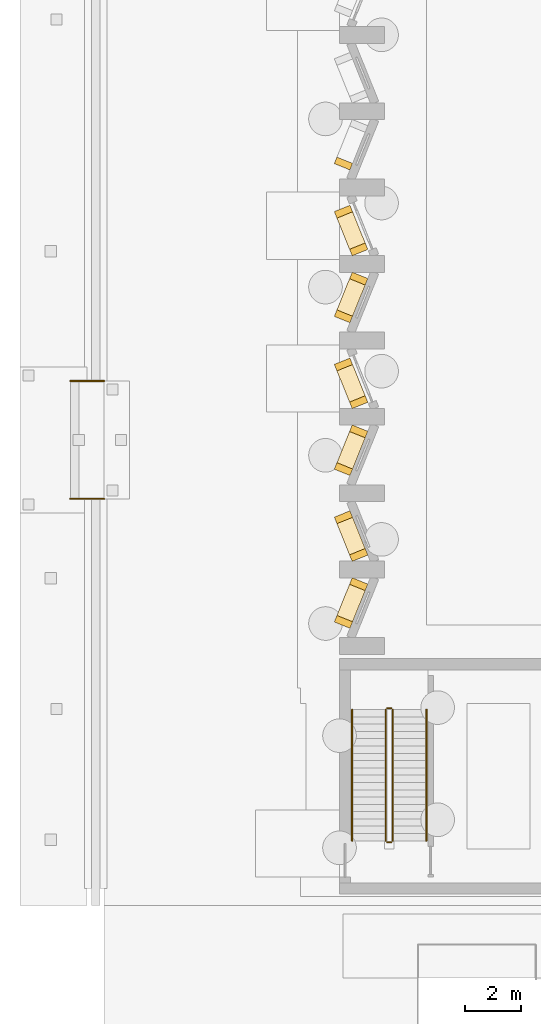
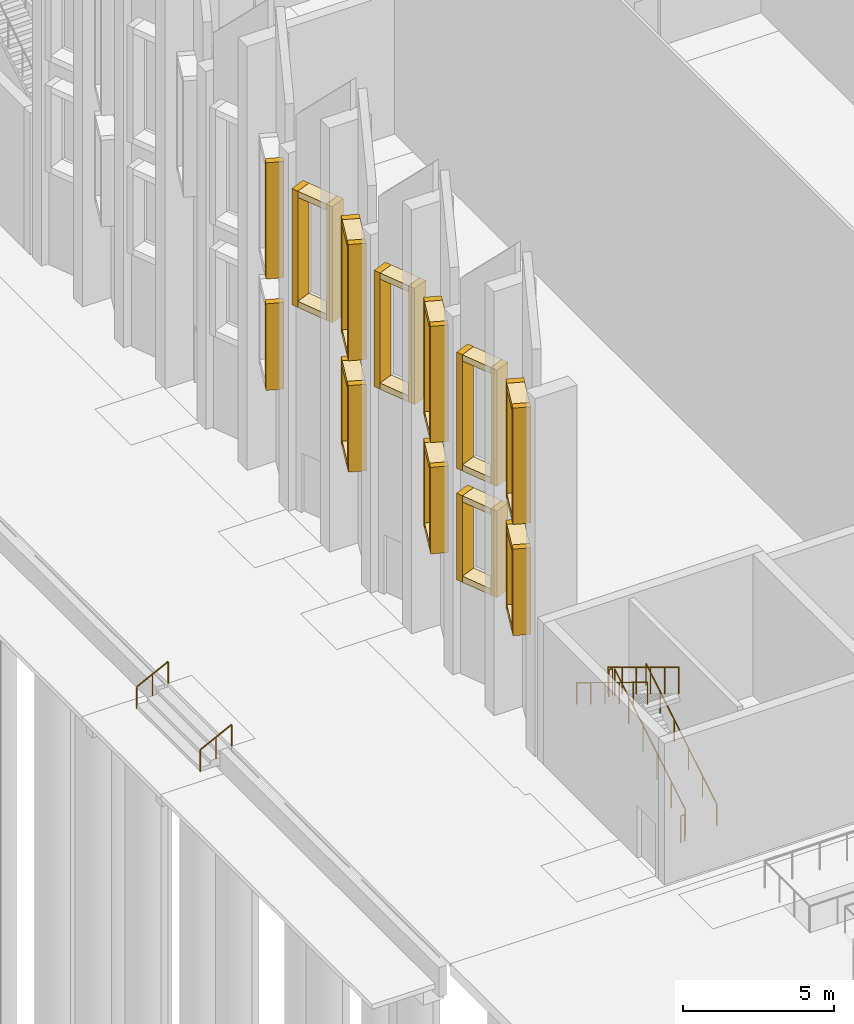
# One storey, part 93 of 108: 42 coverings, 8 railings.
"""IFC4 building model written with IfcOpenShell, lengths in metres."""

from ifc_helpers import new_model, si_unit, direction, frame, origin, origin_2d, place, context, subcontext, project, spatial, rectangle, circle, extrude, material, type_object, element, save


model = new_model("IFC4")

# Units and contexts
model_context = context("Model", 3, precision=1e-05, world=origin(), true_north=direction((0.0, 1.0)))
body_context = subcontext(model_context, "Body", "Model", "MODEL_VIEW")
ifc_project = project(units=[si_unit("LENGTHUNIT", "METRE"), si_unit("AREAUNIT", "SQUARE_METRE"), si_unit("VOLUMEUNIT", "CUBIC_METRE"), si_unit("PLANEANGLEUNIT", "RADIAN"), si_unit("MASSUNIT", "GRAM", prefix="KILO")], contexts=[model_context])

# Site, building, storey
site_placement = place(None, origin())
site = spatial("IfcSite", under=ifc_project, at=site_placement, CompositionType="ELEMENT")
building_placement = place(site_placement, origin())
building = spatial("IfcBuilding", under=site, at=building_placement, Name="Cresset Court Congress Hotel", CompositionType="ELEMENT")
storey_placement = place(building_placement, origin())
storey = spatial("IfcBuildingStorey", under=building, at=storey_placement, Name="L00", CompositionType="ELEMENT", Elevation=0.0)

# Railings
ifc_material_1 = material(Name="Stainless steel", Category="steel")
railing_type_1 = type_object("IfcRailingType", Name="Handrail 900", PredefinedType="HANDRAIL", material=ifc_material_1)
railing_1_placement = place(storey_placement, frame((11.5, 60.699951171875, 0.157958984375)))
element("IfcRailing", 1, at=railing_1_placement, inside=storey, type_object=railing_type_1, Name="L00 ST-D1 stair handrail 1", PredefinedType="HANDRAIL", context=body_context, shape_type="SweptSolid", body=[
    extrude(circle(Radius=0.02392578125, at=origin_2d()), frame((0.0, 0.0, 0.8759765625), z_axis=(0.0, 0.854734527071, 0.519065398802), x_axis=(-1.0, 0.0, 0.0)), (0.0, 0.0, 1.0), 5.475341796875),
    extrude(circle(Radius=0.02099609375, at=origin_2d()), origin(), (0.0, 0.0, 1.0), 0.851806640625),
    extrude(circle(Radius=0.02099609375, at=origin_2d()), frame((0.0, 0.93603515625, 0.568359375)), (0.0, 0.0, 1.0), 0.851806640625),
    extrude(circle(Radius=0.02099609375, at=origin_2d()), frame((0.0, 1.8720703125, 1.13671875)), (0.0, 0.0, 1.0), 0.851806640625),
    extrude(circle(Radius=0.02099609375, at=origin_2d()), frame((0.0, 2.807861328125, 1.705322265625)), (0.0, 0.0, 1.0), 0.851806640625),
    extrude(circle(Radius=0.02099609375, at=origin_2d()), frame((0.0, 3.743896484375, 2.273681640625)), (0.0, 0.0, 1.0), 0.851806640625),
    extrude(circle(Radius=0.02099609375, at=origin_2d()), frame((0.0, 4.679931640625, 2.842041015625)), (0.0, 0.0, 1.0), 0.851806640625),
])
railing_2_placement = place(storey_placement, frame((8.85009765625, 65.3798828125, 3.157958984375)))
element("IfcRailing", 2, at=railing_2_placement, inside=storey, type_object=railing_type_1, Name="L00 ST-D1 stair handrail 2", PredefinedType="HANDRAIL", context=body_context, shape_type="SweptSolid", body=[
    extrude(circle(Radius=0.02392578125, at=origin_2d()), frame((0.0, 0.0, 0.8759765625), z_axis=(0.0, -0.854734527071, 0.519065398802), x_axis=(1.0, 0.0, 0.0)), (0.0, 0.0, 1.0), 5.475341796875),
    extrude(circle(Radius=0.02099609375, at=origin_2d()), origin(), (0.0, 0.0, 1.0), 0.851806640625),
    extrude(circle(Radius=0.02099609375, at=origin_2d()), frame((0.0, -0.93603515625, 0.568359375)), (0.0, 0.0, 1.0), 0.851806640625),
    extrude(circle(Radius=0.02099609375, at=origin_2d()), frame((0.0, -1.8720703125, 1.13671875)), (0.0, 0.0, 1.0), 0.851806640625),
    extrude(circle(Radius=0.02099609375, at=origin_2d()), frame((0.0, -2.807861328125, 1.705322265625)), (0.0, 0.0, 1.0), 0.851806640625),
    extrude(circle(Radius=0.02099609375, at=origin_2d()), frame((0.0, -3.743896484375, 2.273681640625)), (0.0, 0.0, 1.0), 0.851806640625),
    extrude(circle(Radius=0.02099609375, at=origin_2d()), frame((0.0, -4.679931640625, 2.842041015625)), (0.0, 0.0, 1.0), 0.851806640625),
])
ifc_material_2 = material(Name="Stainless steel", Category="steel")
railing_type_2 = type_object("IfcRailingType", Name="Handrail 900 steel", PredefinedType="HANDRAIL", material=ifc_material_2)
for number, where, name in (
    (3, (-1.199951171875, 77.10009765625, -0.60009765625), "Handrail W01L"),
    (4, (-1.199951171875, 72.89990234375, -0.60009765625), "Handrail W01R"),
):
    element("IfcRailing", number, at=place(storey_placement, frame(where)), inside=storey, type_object=railing_type_2, Name=name, PredefinedType="HANDRAIL", context=body_context, shape_type="SweptSolid", body=[
        extrude(circle(Radius=0.02490234375, at=origin_2d()), frame((0.0, 0.0, 0.875), z_axis=(0.894390793703, 0.0, 0.44728638269), x_axis=(0.0, 1.0, 0.0)), (0.0, 0.0, 1.0), 1.341552734375),
        extrude(circle(Radius=0.02001953125, at=origin_2d()), origin(), (0.0, 0.0, 1.0), 0.849853515625),
        extrude(circle(Radius=0.02001953125, at=origin_2d()), frame((0.60009765625, 0.0, 0.300048828125)), (0.0, 0.0, 1.0), 0.849853515625),
        extrude(circle(Radius=0.02001953125, at=origin_2d()), frame((1.199951171875, 0.0, 0.60009765625)), (0.0, 0.0, 1.0), 0.849853515625),
    ])

# Coverings
ifc_material_3 = material(Name="Precast concrete C50", Category="concrete")
covering_type = type_object("IfcCoveringType", Name="Precast reveal frame member 250x600", PredefinedType="CLADDING", material=ifc_material_3)
for number, where, z_axis, x_axis, name in (
    (5, (8.54052734375, 68.5087890625, 4.25), (0.0, 0.0, 1.0), (0.37462277577, 0.927177316307, 0.0), "Reveal frame win.L00.02a"),
    (6, (9.083740234375, 69.853271484375, 4.25), (0.0, 0.0, 1.0), (0.37462277577, 0.927177316307, 0.0), "Reveal frame win.L00.02b"),
):
    element("IfcCovering", number, at=place(storey_placement, frame(where, z_axis=z_axis, x_axis=x_axis)), inside=storey, type_object=covering_type, Name=name, PredefinedType="CLADDING", context=body_context, shape_type="SweptSolid", body=[
        extrude(rectangle(XDim=0.25, YDim=0.60009765625, at=origin_2d()), origin(), (0.0, 0.0, 1.0), 3.5),
    ])
for number, where, z_axis, x_axis, name in (
    (7, (8.81201171875, 69.18115234375, 7.5), (0.0, 0.0, 1.0), (0.37462277577, 0.927177316307, 0.0), "Reveal frame win.L00.02c"),
    (8, (8.81201171875, 69.18115234375, 4.25), (0.0, 0.0, 1.0), (0.37462277577, 0.927177316307, 0.0), "Reveal frame win.L00.02d"),
):
    element("IfcCovering", number, at=place(storey_placement, frame(where, z_axis=z_axis, x_axis=x_axis)), inside=storey, type_object=covering_type, Name=name, PredefinedType="CLADDING", context=body_context, shape_type="SweptSolid", body=[
        extrude(rectangle(XDim=1.199951171875, YDim=0.60009765625, at=origin_2d()), origin(), (0.0, 0.0, 1.0), 0.25),
    ])
for number, where, z_axis, x_axis, name in (
    (9, (8.54052734375, 68.5087890625, 8.75), (0.0, 0.0, 1.0), (0.37462277577, 0.927177316307, 0.0), "Reveal frame win.L00.03a"),
    (10, (9.083740234375, 69.853271484375, 8.75), (0.0, 0.0, 1.0), (0.37462277577, 0.927177316307, 0.0), "Reveal frame win.L00.03b"),
):
    element("IfcCovering", number, at=place(storey_placement, frame(where, z_axis=z_axis, x_axis=x_axis)), inside=storey, type_object=covering_type, Name=name, PredefinedType="CLADDING", context=body_context, shape_type="SweptSolid", body=[
        extrude(rectangle(XDim=0.25, YDim=0.60009765625, at=origin_2d()), origin(), (0.0, 0.0, 1.0), 4.699951171875),
    ])
for number, where, z_axis, x_axis, name in (
    (11, (8.81201171875, 69.18115234375, 13.199951171875), (0.0, 0.0, 1.0), (0.37462277577, 0.927177316307, 0.0), "Reveal frame win.L00.03c"),
    (12, (8.81201171875, 69.18115234375, 8.75), (0.0, 0.0, 1.0), (0.37462277577, 0.927177316307, 0.0), "Reveal frame win.L00.03d"),
):
    element("IfcCovering", number, at=place(storey_placement, frame(where, z_axis=z_axis, x_axis=x_axis)), inside=storey, type_object=covering_type, Name=name, PredefinedType="CLADDING", context=body_context, shape_type="SweptSolid", body=[
        extrude(rectangle(XDim=1.199951171875, YDim=0.60009765625, at=origin_2d()), origin(), (0.0, 0.0, 1.0), 0.25),
    ])
for number, where, z_axis, x_axis, name in (
    (13, (9.083740234375, 70.896728515625, 4.25), (0.0, 0.0, 1.0), (-0.37462277577, 0.927177316307, 0.0), "Reveal frame win.L00.04a"),
    (14, (8.54052734375, 72.2412109375, 4.25), (0.0, 0.0, 1.0), (-0.37462277577, 0.927177316307, 0.0), "Reveal frame win.L00.04b"),
):
    element("IfcCovering", number, at=place(storey_placement, frame(where, z_axis=z_axis, x_axis=x_axis)), inside=storey, type_object=covering_type, Name=name, PredefinedType="CLADDING", context=body_context, shape_type="SweptSolid", body=[
        extrude(rectangle(XDim=0.25, YDim=0.60009765625, at=origin_2d()), origin(), (0.0, 0.0, 1.0), 3.5),
    ])
for number, where, z_axis, x_axis, name in (
    (15, (8.81201171875, 71.569091796875, 7.5), (0.0, 0.0, 1.0), (-0.37462277577, 0.927177316307, 0.0), "Reveal frame win.L00.04c"),
    (16, (8.81201171875, 71.569091796875, 4.25), (0.0, 0.0, 1.0), (-0.37462277577, 0.927177316307, 0.0), "Reveal frame win.L00.04d"),
):
    element("IfcCovering", number, at=place(storey_placement, frame(where, z_axis=z_axis, x_axis=x_axis)), inside=storey, type_object=covering_type, Name=name, PredefinedType="CLADDING", context=body_context, shape_type="SweptSolid", body=[
        extrude(rectangle(XDim=1.199951171875, YDim=0.60009765625, at=origin_2d()), origin(), (0.0, 0.0, 1.0), 0.25),
    ])
for number, where, z_axis, x_axis, name in (
    (17, (9.083740234375, 70.896728515625, 8.75), (0.0, 0.0, 1.0), (-0.37462277577, 0.927177316307, 0.0), "Reveal frame win.L00.05a"),
    (18, (8.54052734375, 72.2412109375, 8.75), (0.0, 0.0, 1.0), (-0.37462277577, 0.927177316307, 0.0), "Reveal frame win.L00.05b"),
):
    element("IfcCovering", number, at=place(storey_placement, frame(where, z_axis=z_axis, x_axis=x_axis)), inside=storey, type_object=covering_type, Name=name, PredefinedType="CLADDING", context=body_context, shape_type="SweptSolid", body=[
        extrude(rectangle(XDim=0.25, YDim=0.60009765625, at=origin_2d()), origin(), (0.0, 0.0, 1.0), 4.699951171875),
    ])
for number, where, z_axis, x_axis, name in (
    (19, (8.81201171875, 71.569091796875, 13.199951171875), (0.0, 0.0, 1.0), (-0.37462277577, 0.927177316307, 0.0), "Reveal frame win.L00.05c"),
    (20, (8.81201171875, 71.569091796875, 8.75), (0.0, 0.0, 1.0), (-0.37462277577, 0.927177316307, 0.0), "Reveal frame win.L00.05d"),
):
    element("IfcCovering", number, at=place(storey_placement, frame(where, z_axis=z_axis, x_axis=x_axis)), inside=storey, type_object=covering_type, Name=name, PredefinedType="CLADDING", context=body_context, shape_type="SweptSolid", body=[
        extrude(rectangle(XDim=1.199951171875, YDim=0.60009765625, at=origin_2d()), origin(), (0.0, 0.0, 1.0), 0.25),
    ])
for number, where, z_axis, x_axis, name in (
    (21, (8.54052734375, 73.958984375, 4.25), (0.0, 0.0, 1.0), (0.37462277577, 0.927177316307, 0.0), "Reveal frame win.L00.06a"),
    (22, (9.083740234375, 75.30322265625, 4.25), (0.0, 0.0, 1.0), (0.37462277577, 0.927177316307, 0.0), "Reveal frame win.L00.06b"),
):
    element("IfcCovering", number, at=place(storey_placement, frame(where, z_axis=z_axis, x_axis=x_axis)), inside=storey, type_object=covering_type, Name=name, PredefinedType="CLADDING", context=body_context, shape_type="SweptSolid", body=[
        extrude(rectangle(XDim=0.25, YDim=0.60009765625, at=origin_2d()), origin(), (0.0, 0.0, 1.0), 3.5),
    ])
for number, where, z_axis, x_axis, name in (
    (23, (8.81201171875, 74.631103515625, 7.5), (0.0, 0.0, 1.0), (0.37462277577, 0.927177316307, 0.0), "Reveal frame win.L00.06c"),
    (24, (8.81201171875, 74.631103515625, 4.25), (0.0, 0.0, 1.0), (0.37462277577, 0.927177316307, 0.0), "Reveal frame win.L00.06d"),
):
    element("IfcCovering", number, at=place(storey_placement, frame(where, z_axis=z_axis, x_axis=x_axis)), inside=storey, type_object=covering_type, Name=name, PredefinedType="CLADDING", context=body_context, shape_type="SweptSolid", body=[
        extrude(rectangle(XDim=1.199951171875, YDim=0.60009765625, at=origin_2d()), origin(), (0.0, 0.0, 1.0), 0.25),
    ])
for number, where, z_axis, x_axis, name in (
    (25, (8.54052734375, 73.958984375, 8.75), (0.0, 0.0, 1.0), (0.37462277577, 0.927177316307, 0.0), "Reveal frame win.L00.07a"),
    (26, (9.083740234375, 75.30322265625, 8.75), (0.0, 0.0, 1.0), (0.37462277577, 0.927177316307, 0.0), "Reveal frame win.L00.07b"),
):
    element("IfcCovering", number, at=place(storey_placement, frame(where, z_axis=z_axis, x_axis=x_axis)), inside=storey, type_object=covering_type, Name=name, PredefinedType="CLADDING", context=body_context, shape_type="SweptSolid", body=[
        extrude(rectangle(XDim=0.25, YDim=0.60009765625, at=origin_2d()), origin(), (0.0, 0.0, 1.0), 4.699951171875),
    ])
for number, where, z_axis, x_axis, name in (
    (27, (8.81201171875, 74.631103515625, 13.199951171875), (0.0, 0.0, 1.0), (0.37462277577, 0.927177316307, 0.0), "Reveal frame win.L00.07c"),
    (28, (8.81201171875, 74.631103515625, 8.75), (0.0, 0.0, 1.0), (0.37462277577, 0.927177316307, 0.0), "Reveal frame win.L00.07d"),
):
    element("IfcCovering", number, at=place(storey_placement, frame(where, z_axis=z_axis, x_axis=x_axis)), inside=storey, type_object=covering_type, Name=name, PredefinedType="CLADDING", context=body_context, shape_type="SweptSolid", body=[
        extrude(rectangle(XDim=1.199951171875, YDim=0.60009765625, at=origin_2d()), origin(), (0.0, 0.0, 1.0), 0.25),
    ])
for number, where, z_axis, x_axis, name in (
    (29, (9.083740234375, 76.3466796875, 8.75), (0.0, 0.0, 1.0), (-0.37462277577, 0.927177316307, 0.0), "Reveal frame win.L00.08a"),
    (30, (8.54052734375, 77.691162109375, 8.75), (0.0, 0.0, 1.0), (-0.37462277577, 0.927177316307, 0.0), "Reveal frame win.L00.08b"),
):
    element("IfcCovering", number, at=place(storey_placement, frame(where, z_axis=z_axis, x_axis=x_axis)), inside=storey, type_object=covering_type, Name=name, PredefinedType="CLADDING", context=body_context, shape_type="SweptSolid", body=[
        extrude(rectangle(XDim=0.25, YDim=0.60009765625, at=origin_2d()), origin(), (0.0, 0.0, 1.0), 4.699951171875),
    ])
for number, where, z_axis, x_axis, name in (
    (31, (8.81201171875, 77.01904296875, 13.199951171875), (0.0, 0.0, 1.0), (-0.37462277577, 0.927177316307, 0.0), "Reveal frame win.L00.08c"),
    (32, (8.81201171875, 77.01904296875, 8.75), (0.0, 0.0, 1.0), (-0.37462277577, 0.927177316307, 0.0), "Reveal frame win.L00.08d"),
):
    element("IfcCovering", number, at=place(storey_placement, frame(where, z_axis=z_axis, x_axis=x_axis)), inside=storey, type_object=covering_type, Name=name, PredefinedType="CLADDING", context=body_context, shape_type="SweptSolid", body=[
        extrude(rectangle(XDim=1.199951171875, YDim=0.60009765625, at=origin_2d()), origin(), (0.0, 0.0, 1.0), 0.25),
    ])
for number, where, z_axis, x_axis, name in (
    (33, (8.54052734375, 79.408935546875, 4.25), (0.0, 0.0, 1.0), (0.37462277577, 0.927177316307, 0.0), "Reveal frame win.L00.09a"),
    (34, (9.083740234375, 80.75341796875, 4.25), (0.0, 0.0, 1.0), (0.37462277577, 0.927177316307, 0.0), "Reveal frame win.L00.09b"),
):
    element("IfcCovering", number, at=place(storey_placement, frame(where, z_axis=z_axis, x_axis=x_axis)), inside=storey, type_object=covering_type, Name=name, PredefinedType="CLADDING", context=body_context, shape_type="SweptSolid", body=[
        extrude(rectangle(XDim=0.25, YDim=0.60009765625, at=origin_2d()), origin(), (0.0, 0.0, 1.0), 3.5),
    ])
for number, where, z_axis, x_axis, name in (
    (35, (8.81201171875, 80.0810546875, 7.5), (0.0, 0.0, 1.0), (0.37462277577, 0.927177316307, 0.0), "Reveal frame win.L00.09c"),
    (36, (8.81201171875, 80.0810546875, 4.25), (0.0, 0.0, 1.0), (0.37462277577, 0.927177316307, 0.0), "Reveal frame win.L00.09d"),
):
    element("IfcCovering", number, at=place(storey_placement, frame(where, z_axis=z_axis, x_axis=x_axis)), inside=storey, type_object=covering_type, Name=name, PredefinedType="CLADDING", context=body_context, shape_type="SweptSolid", body=[
        extrude(rectangle(XDim=1.199951171875, YDim=0.60009765625, at=origin_2d()), origin(), (0.0, 0.0, 1.0), 0.25),
    ])
for number, where, z_axis, x_axis, name in (
    (37, (8.54052734375, 79.408935546875, 8.75), (0.0, 0.0, 1.0), (0.37462277577, 0.927177316307, 0.0), "Reveal frame win.L00.10a"),
    (38, (9.083740234375, 80.75341796875, 8.75), (0.0, 0.0, 1.0), (0.37462277577, 0.927177316307, 0.0), "Reveal frame win.L00.10b"),
):
    element("IfcCovering", number, at=place(storey_placement, frame(where, z_axis=z_axis, x_axis=x_axis)), inside=storey, type_object=covering_type, Name=name, PredefinedType="CLADDING", context=body_context, shape_type="SweptSolid", body=[
        extrude(rectangle(XDim=0.25, YDim=0.60009765625, at=origin_2d()), origin(), (0.0, 0.0, 1.0), 4.699951171875),
    ])
for number, where, z_axis, x_axis, name in (
    (39, (8.81201171875, 80.0810546875, 13.199951171875), (0.0, 0.0, 1.0), (0.37462277577, 0.927177316307, 0.0), "Reveal frame win.L00.10c"),
    (40, (8.81201171875, 80.0810546875, 8.75), (0.0, 0.0, 1.0), (0.37462277577, 0.927177316307, 0.0), "Reveal frame win.L00.10d"),
):
    element("IfcCovering", number, at=place(storey_placement, frame(where, z_axis=z_axis, x_axis=x_axis)), inside=storey, type_object=covering_type, Name=name, PredefinedType="CLADDING", context=body_context, shape_type="SweptSolid", body=[
        extrude(rectangle(XDim=1.199951171875, YDim=0.60009765625, at=origin_2d()), origin(), (0.0, 0.0, 1.0), 0.25),
    ])
for number, where, z_axis, x_axis, name in (
    (41, (9.083740234375, 81.796875, 8.75), (0.0, 0.0, 1.0), (-0.37462277577, 0.927177316307, 0.0), "Reveal frame win.L00.11a"),
    (42, (8.54052734375, 83.14111328125, 8.75), (0.0, 0.0, 1.0), (-0.37462277577, 0.927177316307, 0.0), "Reveal frame win.L00.11b"),
):
    element("IfcCovering", number, at=place(storey_placement, frame(where, z_axis=z_axis, x_axis=x_axis)), inside=storey, type_object=covering_type, Name=name, PredefinedType="CLADDING", context=body_context, shape_type="SweptSolid", body=[
        extrude(rectangle(XDim=0.25, YDim=0.60009765625, at=origin_2d()), origin(), (0.0, 0.0, 1.0), 4.699951171875),
    ])
for number, where, z_axis, x_axis, name in (
    (43, (8.81201171875, 82.468994140625, 13.199951171875), (0.0, 0.0, 1.0), (-0.37462277577, 0.927177316307, 0.0), "Reveal frame win.L00.11c"),
    (44, (8.81201171875, 82.468994140625, 8.75), (0.0, 0.0, 1.0), (-0.37462277577, 0.927177316307, 0.0), "Reveal frame win.L00.11d"),
):
    element("IfcCovering", number, at=place(storey_placement, frame(where, z_axis=z_axis, x_axis=x_axis)), inside=storey, type_object=covering_type, Name=name, PredefinedType="CLADDING", context=body_context, shape_type="SweptSolid", body=[
        extrude(rectangle(XDim=1.199951171875, YDim=0.60009765625, at=origin_2d()), origin(), (0.0, 0.0, 1.0), 0.25),
    ])
covering_1_placement = place(storey_placement, frame((8.54052734375, 84.85888671875, 4.25), z_axis=(0.0, 0.0, 1.0), x_axis=(0.37462277577, 0.927177316307, 0.0)))
element("IfcCovering", 45, at=covering_1_placement, inside=storey, type_object=covering_type, Name="Reveal frame win.L00.12a", PredefinedType="CLADDING", context=body_context, shape_type="SweptSolid", body=[
    extrude(rectangle(XDim=0.25, YDim=0.60009765625, at=origin_2d()), origin(), (0.0, 0.0, 1.0), 3.5),
])
covering_2_placement = place(storey_placement, frame((8.54052734375, 84.85888671875, 8.75), z_axis=(0.0, 0.0, 1.0), x_axis=(0.37462277577, 0.927177316307, 0.0)))
element("IfcCovering", 46, at=covering_2_placement, inside=storey, type_object=covering_type, Name="Reveal frame win.L00.13a", PredefinedType="CLADDING", context=body_context, shape_type="SweptSolid", body=[
    extrude(rectangle(XDim=0.25, YDim=0.60009765625, at=origin_2d()), origin(), (0.0, 0.0, 1.0), 4.699951171875),
])

# Railings
ifc_material_4 = material(Name="Stainless steel", Category="steel")
railing_type_3 = type_object("IfcRailingType", Name="Stair guard 1100 internal", PredefinedType="GUARDRAIL", material=ifc_material_4)
railing_3_placement = place(storey_placement, frame((10.300048828125, 60.699951171875, 0.157958984375)))
element("IfcRailing", 47, at=railing_3_placement, inside=storey, type_object=railing_type_3, Name="L00 ST-D1 stair guard 1", PredefinedType="GUARDRAIL", context=body_context, shape_type="SweptSolid", body=[
    extrude(circle(Radius=0.02392578125, at=origin_2d()), frame((0.0, 0.0, 1.076171875), z_axis=(0.0, 0.854734527071, 0.519065398802), x_axis=(-1.0, 0.0, 0.0)), (0.0, 0.0, 1.0), 5.475341796875),
    extrude(circle(Radius=0.02099609375, at=origin_2d()), origin(), (0.0, 0.0, 1.0), 1.052001953125),
    extrude(circle(Radius=0.02099609375, at=origin_2d()), frame((0.0, 0.93603515625, 0.568359375)), (0.0, 0.0, 1.0), 1.052001953125),
    extrude(circle(Radius=0.02099609375, at=origin_2d()), frame((0.0, 1.8720703125, 1.13671875)), (0.0, 0.0, 1.0), 1.052001953125),
    extrude(circle(Radius=0.02099609375, at=origin_2d()), frame((0.0, 2.807861328125, 1.705322265625)), (0.0, 0.0, 1.0), 1.052001953125),
    extrude(circle(Radius=0.02099609375, at=origin_2d()), frame((0.0, 3.743896484375, 2.273681640625)), (0.0, 0.0, 1.0), 1.052001953125),
    extrude(circle(Radius=0.02099609375, at=origin_2d()), frame((0.0, 4.679931640625, 2.842041015625)), (0.0, 0.0, 1.0), 1.052001953125),
])
railing_4_placement = place(storey_placement, frame((10.25, 65.429931640625, 3.0)))
element("IfcRailing", 48, at=railing_4_placement, inside=storey, type_object=railing_type_3, Name="L00 ST-D1 stair guard 2", PredefinedType="GUARDRAIL", context=body_context, shape_type="SweptSolid", body=[
    extrude(circle(Radius=0.02392578125, at=origin_2d()), frame((0.0, 0.0, 1.076171875), z_axis=(-1.0, 0.0, 0.0), x_axis=(0.0, -1.0, 0.0)), (0.0, 0.0, 1.0), 0.14990234375),
    extrude(circle(Radius=0.02099609375, at=origin_2d()), origin(), (0.0, 0.0, 1.0), 1.052001953125),
    extrude(circle(Radius=0.02099609375, at=origin_2d()), frame((-0.14990234375, 0.0, 0.0)), (0.0, 0.0, 1.0), 1.052001953125),
])
railing_5_placement = place(storey_placement, frame((10.050048828125, 65.3798828125, 3.157958984375)))
element("IfcRailing", 49, at=railing_5_placement, inside=storey, type_object=railing_type_3, Name="L00 ST-D1 stair guard 3", PredefinedType="GUARDRAIL", context=body_context, shape_type="SweptSolid", body=[
    extrude(circle(Radius=0.02392578125, at=origin_2d()), frame((0.0, 0.0, 1.076171875), z_axis=(0.0, -0.854734527071, 0.519065398802), x_axis=(1.0, 0.0, 0.0)), (0.0, 0.0, 1.0), 5.475341796875),
    extrude(circle(Radius=0.02099609375, at=origin_2d()), origin(), (0.0, 0.0, 1.0), 1.052001953125),
    extrude(circle(Radius=0.02099609375, at=origin_2d()), frame((0.0, -0.93603515625, 0.568359375)), (0.0, 0.0, 1.0), 1.052001953125),
    extrude(circle(Radius=0.02099609375, at=origin_2d()), frame((0.0, -1.8720703125, 1.13671875)), (0.0, 0.0, 1.0), 1.052001953125),
    extrude(circle(Radius=0.02099609375, at=origin_2d()), frame((0.0, -2.807861328125, 1.705322265625)), (0.0, 0.0, 1.0), 1.052001953125),
    extrude(circle(Radius=0.02099609375, at=origin_2d()), frame((0.0, -3.743896484375, 2.273681640625)), (0.0, 0.0, 1.0), 1.052001953125),
    extrude(circle(Radius=0.02099609375, at=origin_2d()), frame((0.0, -4.679931640625, 2.842041015625)), (0.0, 0.0, 1.0), 1.052001953125),
])
railing_6_placement = place(storey_placement, frame((10.25, 60.64990234375, 0.0)))
element("IfcRailing", 50, at=railing_6_placement, inside=storey, type_object=railing_type_3, Name="L00 ST-D1 stair guard 4", PredefinedType="GUARDRAIL", context=body_context, shape_type="SweptSolid", body=[
    extrude(circle(Radius=0.02392578125, at=origin_2d()), frame((0.0, 0.0, 1.076171875), z_axis=(-1.0, 0.0, 0.0), x_axis=(0.0, -1.0, 0.0)), (0.0, 0.0, 1.0), 0.14990234375),
    extrude(circle(Radius=0.02099609375, at=origin_2d()), origin(), (0.0, 0.0, 1.0), 1.052001953125),
    extrude(circle(Radius=0.02099609375, at=origin_2d()), frame((-0.14990234375, 0.0, 0.0)), (0.0, 0.0, 1.0), 1.052001953125),
])

save(model, "model.ifc")
